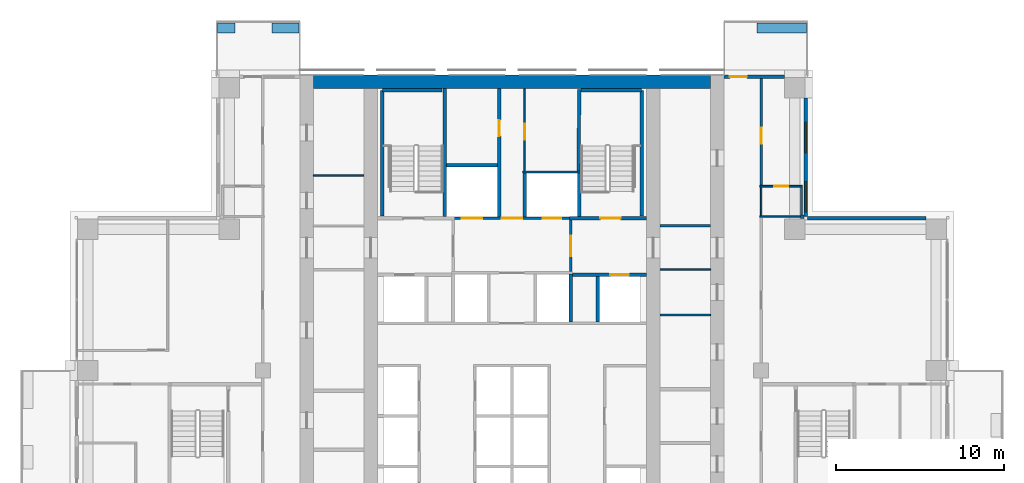
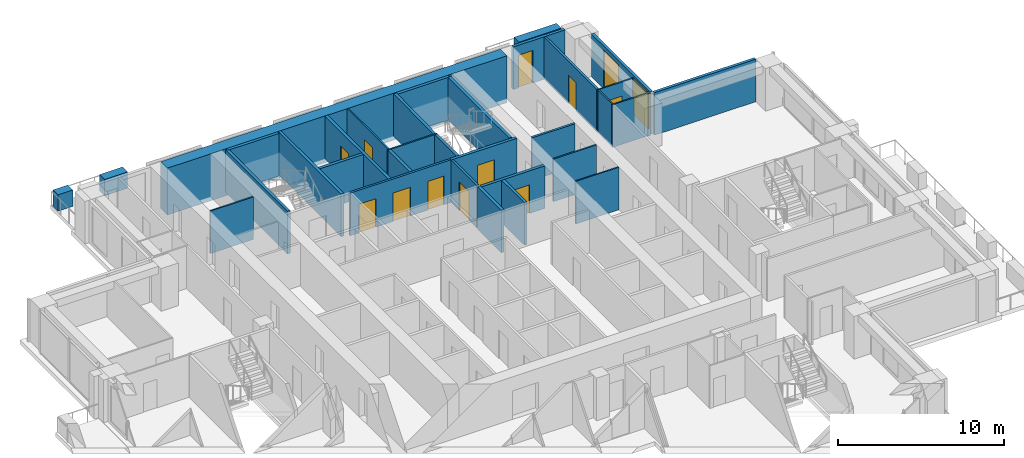
# One storey, part 13 of 18: 35 walls, 11 doors, 2 windows, 13 openings.
"""IFC4 building model written with IfcOpenShell, lengths in metres."""

from ifc_helpers import new_model, si_unit, direction, frame, frame_2d, origin, place, context, subcontext, project, spatial, rectangle, extrude, material, layer, layer_set, type_object, element, fill, save


model = new_model("IFC4")

# Units and contexts
model_context = context("Model", 3, precision=1e-05, world=origin(), true_north=direction((0.0, 1.0)))
body_context = subcontext(model_context, "Body", "Model", "MODEL_VIEW")
ifc_project = project(units=[si_unit("LENGTHUNIT", "METRE"), si_unit("AREAUNIT", "SQUARE_METRE"), si_unit("VOLUMEUNIT", "CUBIC_METRE"), si_unit("PLANEANGLEUNIT", "RADIAN"), si_unit("MASSUNIT", "GRAM", prefix="KILO")], contexts=[model_context])

# Site, building, storey
site_placement = place(None, origin())
site = spatial("IfcSite", under=ifc_project, at=site_placement, CompositionType="ELEMENT")
building_placement = place(site_placement, origin())
building = spatial("IfcBuilding", under=site, at=building_placement, Name="Vermilion Ogive Tower", CompositionType="ELEMENT")
storey_placement = place(building_placement, frame((0.0, 0.0, 108.0)))
storey = spatial("IfcBuildingStorey", under=building, at=storey_placement, Name="L27", CompositionType="ELEMENT", Elevation=108.0)

# Walls
ifc_material_1 = material(Name="Concrete B80", Category="concrete")
ifc_layer_1 = layer(ifc_material_1, 0.800048828125)
ifc_layer_set_1 = layer_set([ifc_layer_1], Name="Core wall 800 B80")
wall_type_1 = type_object("IfcWallType", Name="Core wall 800 B80", PredefinedType="SHEAR", material=ifc_layer_set_1)
wall_1_placement = place(storey_placement, frame((-11.800048828125, 21.35009765625, -0.320068359375), z_axis=(0.0, 0.0, 1.0), x_axis=(1.0, 0.0, 0.0)))
element("IfcWall", 1, at=wall_1_placement, inside=storey, type_object=wall_type_1, Name="L27-CORE-N", PredefinedType="SHEAR", context=body_context, shape_type="SweptSolid", body=[
    extrude(rectangle(XDim=23.60009765625, YDim=0.800048828125, at=frame_2d((11.800048828125, 0.0))), origin(), (0.0, 0.0, 1.0), 3.449951171875),
])
ifc_material_2 = material(Name="Gypsum board partition on steel studs", Category="steel")
ifc_layer_2 = layer(ifc_material_2, 0.10009765625)
ifc_layer_set_2 = layer_set([ifc_layer_2], Name="Partition 100 bath")
wall_type_2 = type_object("IfcWallType", Name="Partition 100 bath", PredefinedType="PARTITIONING", material=ifc_layer_set_2)
wall_2_placement = place(storey_placement, frame((14.72509765625, 13.35009765625, 0.0), z_axis=(0.0, 0.0, 1.0), x_axis=(1.0, 0.0, 0.0)))
element("IfcWall", 2, at=wall_2_placement, inside=storey, type_object=wall_type_2, Name="L27-W-W031", PredefinedType="PARTITIONING", context=body_context, shape_type="SweptSolid", body=[
    extrude(rectangle(XDim=2.52490234375, YDim=0.10009765625, at=frame_2d((1.262451171875, 0.0))), origin(), (0.0, 0.0, 1.0), 3.1298828125),
])

# Wall, opening, door
wall_3_placement = place(storey_placement, frame((14.72509765625, 15.14990234375, 0.0), z_axis=(0.0, 0.0, 1.0), x_axis=(1.0, 0.0, 0.0)))
wall_3 = element("IfcWall", 3, at=wall_3_placement, inside=storey, type_object=wall_type_2, Name="L27-W-W034", PredefinedType="PARTITIONING", context=body_context, shape_type="SweptSolid", body=[
    extrude(rectangle(XDim=2.52490234375, YDim=0.10009765625, at=frame_2d((1.262451171875, 0.0))), origin(), (0.0, 0.0, 1.0), 3.1298828125),
])
opening_1_placement = place(wall_3_placement, frame((0.849853515625, 0.0, 0.0)))
opening_1 = element("IfcOpeningElement", 4, at=opening_1_placement, cuts=wall_3, Name="Opening D2G4020", PredefinedType="OPENING", context=body_context, shape_type="SweptSolid", body=[
    extrude(rectangle(XDim=0.85009765625, YDim=2.10009765625, at=frame_2d((0.425048828125, 1.050048828125))), frame((0.0, 0.06005859375, 0.0), z_axis=(0.0, -1.0, 0.0), x_axis=(1.0, 0.0, 0.0)), (0.0, 0.0, 1.0), 0.1201171875),
])
ifc_material_3 = material(Name="Timber door leaf", Category="wood")
door_type_1 = type_object("IfcDoorType", Name="Bath door 850 x 2100 FD30", OperationType="SINGLE_SWING_LEFT", PredefinedType="DOOR", material=ifc_material_3)
door_1_placement = place(opening_1_placement, origin())
door_1 = element("IfcDoor", 5, at=door_1_placement, inside=storey, type_object=door_type_1, Name="L27-D-D020", OperationType="SINGLE_SWING_RIGHT", OverallHeight=2.10009765625, OverallWidth=0.85009765625, PredefinedType="DOOR", context=body_context, shape_type="SweptSolid", body=[
    extrude(rectangle(XDim=0.85009765625, YDim=2.10009765625, at=frame_2d((0.425048828125, 1.050048828125))), frame((0.0, 0.02490234375, 0.0), z_axis=(0.0, -1.0, 0.0), x_axis=(1.0, 0.0, 0.0)), (0.0, 0.0, 1.0), 0.050048828125),
])
fill(opening_1, door_1)

# Walls
wall_4_placement = place(storey_placement, frame((14.800048828125, 13.39990234375, 0.0), z_axis=(0.0, 0.0, 1.0), x_axis=(0.0, 1.0, 0.0)))
element("IfcWall", 6, at=wall_4_placement, inside=storey, type_object=wall_type_2, Name="L27-W-W056", PredefinedType="PARTITIONING", context=body_context, shape_type="SweptSolid", body=[
    extrude(rectangle(XDim=1.7001953125, YDim=0.10009765625, at=frame_2d((0.85009765625, 0.0))), origin(), (0.0, 0.0, 1.0), 3.1298828125),
])
wall_5_placement = place(storey_placement, frame((17.199951171875, 13.449951171875, 0.0), z_axis=(0.0, 0.0, 1.0), x_axis=(0.0, 1.0, 0.0)))
element("IfcWall", 7, at=wall_5_placement, inside=storey, type_object=wall_type_2, Name="L27-W-W060", PredefinedType="PARTITIONING", context=body_context, shape_type="SweptSolid", body=[
    extrude(rectangle(XDim=1.650146484375, YDim=0.10009765625, at=frame_2d((0.8251953125, 0.0))), origin(), (0.0, 0.0, 1.0), 3.1298828125),
])
wall_6_placement = place(storey_placement, frame((0.64990234375, 16.0, 0.0), z_axis=(0.0, 0.0, 1.0), x_axis=(1.0, 0.0, 0.0)))
element("IfcWall", 8, at=wall_6_placement, inside=storey, type_object=wall_type_2, Name="L27-CK-W-W019", PredefinedType="PARTITIONING", context=body_context, shape_type="SweptSolid", body=[
    extrude(rectangle(XDim=3.4501953125, YDim=0.10009765625, at=frame_2d((1.72509765625, 0.0))), origin(), (0.0, 0.0, 1.0), 3.1298828125),
])

# Wall, opening, door
wall_7_placement = place(storey_placement, frame((0.75, 16.050048828125, 0.0), z_axis=(0.0, 0.0, 1.0), x_axis=(0.0, 1.0, 0.0)))
wall_7 = element("IfcWall", 9, at=wall_7_placement, inside=storey, type_object=wall_type_2, Name="L27-CK-W-W031", PredefinedType="PARTITIONING", context=body_context, shape_type="SweptSolid", body=[
    extrude(rectangle(XDim=4.89892578125, YDim=0.10009765625, at=frame_2d((2.449462890625, 0.0))), origin(), (0.0, 0.0, 1.0), 3.1298828125),
])
opening_2_placement = place(wall_7_placement, frame((1.875, 0.0, 0.0)))
opening_2 = element("IfcOpeningElement", 10, at=opening_2_placement, cuts=wall_7, Name="Opening DAA215", PredefinedType="OPENING", context=body_context, shape_type="SweptSolid", body=[
    extrude(rectangle(XDim=0.949951171875, YDim=2.10009765625, at=frame_2d((0.47509765625, 1.050048828125))), frame((0.0, 0.06005859375, 0.0), z_axis=(0.0, -1.0, 0.0), x_axis=(1.0, 0.0, 0.0)), (0.0, 0.0, 1.0), 0.1201171875),
])
ifc_material_4 = material(Name="Timber door leaf", Category="wood")
door_type_2 = type_object("IfcDoorType", Name="Service door 950 x 2100 FD60", OperationType="SINGLE_SWING_LEFT", PredefinedType="DOOR", material=ifc_material_4)
door_2_placement = place(opening_2_placement, origin())
door_2 = element("IfcDoor", 11, at=door_2_placement, inside=storey, type_object=door_type_2, Name="L27-CK-D-D020", OperationType="SINGLE_SWING_LEFT", OverallHeight=2.10009765625, OverallWidth=0.949951171875, PredefinedType="DOOR", context=body_context, shape_type="SweptSolid", body=[
    extrude(rectangle(XDim=0.949951171875, YDim=2.10009765625, at=frame_2d((0.47509765625, 1.050048828125))), frame((0.0, 0.02490234375, 0.0), z_axis=(0.0, -1.0, 0.0), x_axis=(1.0, 0.0, 0.0)), (0.0, 0.0, 1.0), 0.050048828125),
])
fill(opening_2, door_2)

# Walls
for number, where, z_axis, x_axis, name in (
    (12, (-11.799072265625, 15.800048828125, 0.0), (0.0, 0.0, 1.0), (1.0, 0.0, 0.0), "L27-CKW-W-W005"),
    (13, (8.801025390625, 7.5, 0.0), (0.0, 0.0, 1.0), (1.0, 0.0, 0.0), "L27-CKE-W-W004"),
    (14, (8.801025390625, 10.199951171875, 0.0), (0.0, 0.0, 1.0), (1.0, 0.0, 0.0), "L27-CKE-W-W005"),
):
    element("IfcWall", number, at=place(storey_placement, frame(where, z_axis=z_axis, x_axis=x_axis)), inside=storey, type_object=wall_type_2, Name=name, PredefinedType="PARTITIONING", context=body_context, shape_type="SweptSolid", body=[
        extrude(rectangle(XDim=2.998046875, YDim=0.10009765625, at=frame_2d((1.4990234375, 0.0))), origin(), (0.0, 0.0, 1.0), 3.1298828125),
    ])

# Wall, opening, door
ifc_material_5 = material(Name="Gypsum board partition on steel studs", Category="steel")
ifc_layer_3 = layer(ifc_material_5, 0.14990234375)
ifc_layer_set_3 = layer_set([ifc_layer_3], Name="Partition 150 corridor")
wall_type_3 = type_object("IfcWallType", Name="Partition 150 corridor", PredefinedType="PARTITIONING", material=ifc_layer_set_3)
wall_8_placement = place(storey_placement, frame((14.800048828125, 15.199951171875, 0.0), z_axis=(0.0, 0.0, 1.0), x_axis=(0.0, 1.0, 0.0)))
wall_8 = element("IfcWall", 15, at=wall_8_placement, inside=storey, type_object=wall_type_3, Name="L27-W-W057", PredefinedType="PARTITIONING", context=body_context, shape_type="SweptSolid", body=[
    extrude(rectangle(XDim=6.35009765625, YDim=0.14990234375, at=frame_2d((3.175048828125, 0.0))), origin(), (0.0, 0.0, 1.0), 3.1298828125),
])
opening_3_placement = place(wall_8_placement, frame((2.47509765625, 0.0, 0.0)))
opening_3 = element("IfcOpeningElement", 16, at=opening_3_placement, cuts=wall_8, Name="Opening D2G4019", PredefinedType="OPENING", context=body_context, shape_type="SweptSolid", body=[
    extrude(rectangle(XDim=0.949951171875, YDim=2.10009765625, at=frame_2d((0.47509765625, 1.050048828125))), frame((0.0, 0.0849609375, 0.0), z_axis=(0.0, -1.0, 0.0), x_axis=(1.0, 0.0, 0.0)), (0.0, 0.0, 1.0), 0.169921875),
])
ifc_material_6 = material(Name="Timber door leaf", Category="wood")
door_type_3 = type_object("IfcDoorType", Name="Unit door 950 x 2100 FD30S", OperationType="SINGLE_SWING_LEFT", PredefinedType="DOOR", material=ifc_material_6)
door_3_placement = place(opening_3_placement, origin())
door_3 = element("IfcDoor", 17, at=door_3_placement, inside=storey, type_object=door_type_3, Name="L27-D-D019", OperationType="SINGLE_SWING_LEFT", OverallHeight=2.10009765625, OverallWidth=0.949951171875, PredefinedType="DOOR", context=body_context, shape_type="SweptSolid", body=[
    extrude(rectangle(XDim=0.949951171875, YDim=2.10009765625, at=frame_2d((0.47509765625, 1.050048828125))), frame((0.0, 0.02490234375, 0.0), z_axis=(0.0, -1.0, 0.0), x_axis=(1.0, 0.0, 0.0)), (0.0, 0.0, 1.0), 0.050048828125),
])
fill(opening_3, door_3)

# Wall, openings, doors
wall_9_placement = place(storey_placement, frame((-3.574951171875, 13.25, 0.0), z_axis=(0.0, 0.0, 1.0), x_axis=(1.0, 0.0, 0.0)))
wall_9 = element("IfcWall", 18, at=wall_9_placement, inside=storey, type_object=wall_type_3, Name="L27-CK-W-W017", PredefinedType="PARTITIONING", context=body_context, shape_type="SweptSolid", body=[
    extrude(rectangle(XDim=7.14990234375, YDim=0.14990234375, at=frame_2d((3.574951171875, 0.0))), origin(), (0.0, 0.0, 1.0), 3.1298828125),
])
opening_4_placement = place(wall_9_placement, frame((0.599853515625, 0.0, 0.0)))
opening_4 = element("IfcOpeningElement", 19, at=opening_4_placement, cuts=wall_9, Name="Opening DAA229", PredefinedType="OPENING", context=body_context, shape_type="SweptSolid", body=[
    extrude(rectangle(XDim=1.199951171875, YDim=2.10009765625, at=frame_2d((0.60009765625, 1.050048828125))), frame((0.0, 0.0849609375, 0.0), z_axis=(0.0, -1.0, 0.0), x_axis=(1.0, 0.0, 0.0)), (0.0, 0.0, 1.0), 0.169921875),
])
opening_5_placement = place(wall_9_placement, frame((5.39990234375, 0.0, 0.0)))
opening_5 = element("IfcOpeningElement", 20, at=opening_5_placement, cuts=wall_9, Name="Opening DAA220", PredefinedType="OPENING", context=body_context, shape_type="SweptSolid", body=[
    extrude(rectangle(XDim=1.10009765625, YDim=2.10009765625, at=frame_2d((0.550048828125, 1.050048828125))), frame((0.0, 0.0849609375, 0.0), z_axis=(0.0, -1.0, 0.0), x_axis=(1.0, 0.0, 0.0)), (0.0, 0.0, 1.0), 0.169921875),
])
opening_6_placement = place(wall_9_placement, frame((2.974853515625, 0.0, 0.0)))
opening_6 = element("IfcOpeningElement", 21, at=opening_6_placement, cuts=wall_9, Name="Opening DAA212", PredefinedType="OPENING", context=body_context, shape_type="SweptSolid", body=[
    extrude(rectangle(XDim=1.199951171875, YDim=2.10009765625, at=frame_2d((0.60009765625, 1.050048828125))), frame((0.0, 0.0849609375, 0.0), z_axis=(0.0, -1.0, 0.0), x_axis=(1.0, 0.0, 0.0)), (0.0, 0.0, 1.0), 0.169921875),
])
ifc_material_7 = material(Name="Stainless steel", Category="steel")
door_type_4 = type_object("IfcDoorType", Name="Lift landing door 1100 x 2100", OperationType="SLIDING_TO_LEFT", PredefinedType="DOOR", material=ifc_material_7)
door_4_placement = place(opening_5_placement, origin())
door_4 = element("IfcDoor", 22, at=door_4_placement, inside=storey, type_object=door_type_4, Name="L27-CK-D-D017", OperationType="SLIDING_TO_LEFT", OverallHeight=2.10009765625, OverallWidth=1.10009765625, PredefinedType="DOOR", context=body_context, shape_type="SweptSolid", body=[
    extrude(rectangle(XDim=1.10009765625, YDim=2.10009765625, at=frame_2d((0.550048828125, 1.050048828125))), frame((0.0, 0.02490234375, 0.0), z_axis=(0.0, -1.0, 0.0), x_axis=(1.0, 0.0, 0.0)), (0.0, 0.0, 1.0), 0.050048828125),
])
fill(opening_5, door_4)
ifc_material_8 = material(Name="Stainless steel", Category="steel")
door_type_5 = type_object("IfcDoorType", Name="Lift landing door 1200 x 2100", OperationType="SLIDING_TO_LEFT", PredefinedType="DOOR", material=ifc_material_8)
door_5_placement = place(opening_4_placement, origin())
door_5 = element("IfcDoor", 23, at=door_5_placement, inside=storey, type_object=door_type_5, Name="L27-CK-D-D016", OperationType="SLIDING_TO_RIGHT", OverallHeight=2.10009765625, OverallWidth=1.199951171875, PredefinedType="DOOR", context=body_context, shape_type="SweptSolid", body=[
    extrude(rectangle(XDim=1.199951171875, YDim=2.10009765625, at=frame_2d((0.60009765625, 1.050048828125))), frame((0.0, 0.02490234375, 0.0), z_axis=(0.0, -1.0, 0.0), x_axis=(1.0, 0.0, 0.0)), (0.0, 0.0, 1.0), 0.050048828125),
])
fill(opening_4, door_5)
ifc_material_9 = material(Name="Timber door leaf", Category="wood")
door_type_6 = type_object("IfcDoorType", Name="Service door 1200 x 2100 FD60", OperationType="SINGLE_SWING_LEFT", PredefinedType="DOOR", material=ifc_material_9)
door_6_placement = place(opening_6_placement, origin())
door_6 = element("IfcDoor", 24, at=door_6_placement, inside=storey, type_object=door_type_6, Name="L27-CK-D-D018", OperationType="SINGLE_SWING_RIGHT", OverallHeight=2.10009765625, OverallWidth=1.199951171875, PredefinedType="DOOR", context=body_context, shape_type="SweptSolid", body=[
    extrude(rectangle(XDim=1.199951171875, YDim=2.10009765625, at=frame_2d((0.60009765625, 1.050048828125))), frame((0.0, 0.02490234375, 0.0), z_axis=(0.0, -1.0, 0.0), x_axis=(1.0, 0.0, 0.0)), (0.0, 0.0, 1.0), 0.050048828125),
])
fill(opening_6, door_6)

# Wall, opening, door
wall_10_placement = place(storey_placement, frame((3.5, 10.074951171875, 0.0), z_axis=(0.0, 0.0, 1.0), x_axis=(0.0, 1.0, 0.0)))
wall_10 = element("IfcWall", 25, at=wall_10_placement, inside=storey, type_object=wall_type_3, Name="L27-CK-W-W035", PredefinedType="PARTITIONING", context=body_context, shape_type="SweptSolid", body=[
    extrude(rectangle(XDim=3.074951171875, YDim=0.14990234375, at=frame_2d((1.53759765625, 0.0))), origin(), (0.0, 0.0, 1.0), 3.1298828125),
])
opening_7_placement = place(wall_10_placement, frame((0.925048828125, 0.0, 0.0)))
opening_7 = element("IfcOpeningElement", 26, at=opening_7_placement, cuts=wall_10, Name="Opening DAA209", PredefinedType="OPENING", context=body_context, shape_type="SweptSolid", body=[
    extrude(rectangle(XDim=1.199951171875, YDim=2.10009765625, at=frame_2d((0.60009765625, 1.050048828125))), frame((0.0, 0.0849609375, 0.0), z_axis=(0.0, -1.0, 0.0), x_axis=(1.0, 0.0, 0.0)), (0.0, 0.0, 1.0), 0.169921875),
])
ifc_material_10 = material(Name="Timber door leaf", Category="wood")
door_type_7 = type_object("IfcDoorType", Name="Lobby door 1200 x 2100 FD60S", OperationType="SINGLE_SWING_LEFT", PredefinedType="DOOR", material=ifc_material_10)
door_7_placement = place(opening_7_placement, origin())
door_7 = element("IfcDoor", 27, at=door_7_placement, inside=storey, type_object=door_type_7, Name="L27-CK-D-D022", OperationType="SINGLE_SWING_LEFT", OverallHeight=2.10009765625, OverallWidth=1.199951171875, PredefinedType="DOOR", context=body_context, shape_type="SweptSolid", body=[
    extrude(rectangle(XDim=1.199951171875, YDim=2.10009765625, at=frame_2d((0.60009765625, 1.050048828125))), frame((0.0, 0.02490234375, 0.0), z_axis=(0.0, -1.0, 0.0), x_axis=(1.0, 0.0, 0.0)), (0.0, 0.0, 1.0), 0.050048828125),
])
fill(opening_7, door_7)

# Walls
wall_11_placement = place(storey_placement, frame((8.801025390625, 12.800048828125, 0.0), z_axis=(0.0, 0.0, 1.0), x_axis=(1.0, 0.0, 0.0)))
element("IfcWall", 28, at=wall_11_placement, inside=storey, type_object=wall_type_3, Name="L27-CKE-W-W006", PredefinedType="PARTITIONING", context=body_context, shape_type="SweptSolid", body=[
    extrude(rectangle(XDim=2.998046875, YDim=0.14990234375, at=frame_2d((1.4990234375, 0.0))), origin(), (0.0, 0.0, 1.0), 3.1298828125),
])
ifc_material_11 = material(Name="Gypsum board partition on steel studs", Category="steel")
ifc_layer_4 = layer(ifc_material_11, 0.199951171875)
ifc_layer_set_4 = layer_set([ifc_layer_4], Name="Partition 200 party")
wall_type_4 = type_object("IfcWallType", Name="Partition 200 party", PredefinedType="PARTITIONING", material=ifc_layer_set_4)
wall_12_placement = place(storey_placement, frame((17.14990234375, 13.35009765625, 0.0), z_axis=(0.0, 0.0, 1.0), x_axis=(1.0, 0.0, 0.0)))
element("IfcWall", 29, at=wall_12_placement, inside=storey, type_object=wall_type_4, Name="L27-W-W032", PredefinedType="PARTITIONING", context=body_context, shape_type="SweptSolid", body=[
    extrude(rectangle(XDim=0.2001953125, YDim=0.199951171875, at=frame_2d((0.10009765625, 0.0))), origin(), (0.0, 0.0, 1.0), 3.1298828125),
])

# Wall, opening, door
wall_13_placement = place(storey_placement, frame((3.60009765625, 9.89990234375, 0.0), z_axis=(0.0, 0.0, 1.0), x_axis=(1.0, 0.0, 0.0)))
wall_13 = element("IfcWall", 30, at=wall_13_placement, inside=storey, type_object=wall_type_4, Name="L27-CK-W-W014", PredefinedType="PARTITIONING", context=body_context, shape_type="SweptSolid", body=[
    extrude(rectangle(XDim=4.39892578125, YDim=0.199951171875, at=frame_2d((2.199462890625, 0.0))), origin(), (0.0, 0.0, 1.0), 3.1298828125),
])
opening_8_placement = place(wall_13_placement, frame((2.25, 0.0, 0.0)))
opening_8 = element("IfcOpeningElement", 31, at=opening_8_placement, cuts=wall_13, Name="Opening DAA219", PredefinedType="OPENING", context=body_context, shape_type="SweptSolid", body=[
    extrude(rectangle(XDim=1.10009765625, YDim=2.10009765625, at=frame_2d((0.550048828125, 1.050048828125))), frame((0.0, 0.10986328125, 0.0), z_axis=(0.0, -1.0, 0.0), x_axis=(1.0, 0.0, 0.0)), (0.0, 0.0, 1.0), 0.219970703125),
])
door_8_placement = place(opening_8_placement, origin())
door_8 = element("IfcDoor", 32, at=door_8_placement, inside=storey, type_object=door_type_4, Name="L27-CK-D-D013", OperationType="SLIDING_TO_LEFT", OverallHeight=2.10009765625, OverallWidth=1.10009765625, PredefinedType="DOOR", context=body_context, shape_type="SweptSolid", body=[
    extrude(rectangle(XDim=1.10009765625, YDim=2.10009765625, at=frame_2d((0.550048828125, 1.050048828125))), frame((0.0, 0.02490234375, 0.0), z_axis=(0.0, -1.0, 0.0), x_axis=(1.0, 0.0, 0.0)), (0.0, 0.0, 1.0), 0.050048828125),
])
fill(opening_8, door_8)

# Wall
wall_14_placement = place(storey_placement, frame((-3.89990234375, 16.39990234375, 0.0), z_axis=(0.0, 0.0, 1.0), x_axis=(1.0, 0.0, 0.0)))
element("IfcWall", 33, at=wall_14_placement, inside=storey, type_object=wall_type_4, Name="L27-CK-W-W020", PredefinedType="PARTITIONING", context=body_context, shape_type="SweptSolid", body=[
    extrude(rectangle(XDim=3.0498046875, YDim=0.199951171875, at=frame_2d((1.52490234375, 0.0))), origin(), (0.0, 0.0, 1.0), 3.1298828125),
])

# Wall, opening, door
wall_15_placement = place(storey_placement, frame((-0.75, 13.324951171875, 0.0), z_axis=(0.0, 0.0, 1.0), x_axis=(0.0, 1.0, 0.0)))
wall_15 = element("IfcWall", 34, at=wall_15_placement, inside=storey, type_object=wall_type_4, Name="L27-CK-W-W028", PredefinedType="PARTITIONING", context=body_context, shape_type="SweptSolid", body=[
    extrude(rectangle(XDim=7.6240234375, YDim=0.199951171875, at=frame_2d((3.81201171875, 0.0))), origin(), (0.0, 0.0, 1.0), 3.1298828125),
])
opening_9_placement = place(wall_15_placement, frame((4.800048828125, 0.0, 0.0)))
opening_9 = element("IfcOpeningElement", 35, at=opening_9_placement, cuts=wall_15, Name="Opening DAA214", PredefinedType="OPENING", context=body_context, shape_type="SweptSolid", body=[
    extrude(rectangle(XDim=0.949951171875, YDim=2.10009765625, at=frame_2d((0.47509765625, 1.050048828125))), frame((0.0, 0.10986328125, 0.0), z_axis=(0.0, -1.0, 0.0), x_axis=(1.0, 0.0, 0.0)), (0.0, 0.0, 1.0), 0.219970703125),
])
door_9_placement = place(opening_9_placement, origin())
door_9 = element("IfcDoor", 36, at=door_9_placement, inside=storey, type_object=door_type_2, Name="L27-CK-D-D019", OperationType="SINGLE_SWING_RIGHT", OverallHeight=2.10009765625, OverallWidth=0.949951171875, PredefinedType="DOOR", context=body_context, shape_type="SweptSolid", body=[
    extrude(rectangle(XDim=0.949951171875, YDim=2.10009765625, at=frame_2d((0.47509765625, 1.050048828125))), frame((0.0, 0.02490234375, 0.0), z_axis=(0.0, -1.0, 0.0), x_axis=(1.0, 0.0, 0.0)), (0.0, 0.0, 1.0), 0.050048828125),
])
fill(opening_9, door_9)

# Walls
wall_16_placement = place(storey_placement, frame((0.75, 13.324951171875, 0.0), z_axis=(0.0, 0.0, 1.0), x_axis=(0.0, 1.0, 0.0)))
element("IfcWall", 37, at=wall_16_placement, inside=storey, type_object=wall_type_4, Name="L27-CK-W-W030", PredefinedType="PARTITIONING", context=body_context, shape_type="SweptSolid", body=[
    extrude(rectangle(XDim=2.625, YDim=0.199951171875, at=frame_2d((1.3125, 0.0))), origin(), (0.0, 0.0, 1.0), 3.1298828125),
])
wall_17_placement = place(storey_placement, frame((3.5, 7.074951171875, 0.0), z_axis=(0.0, 0.0, 1.0), x_axis=(0.0, 1.0, 0.0)))
element("IfcWall", 38, at=wall_17_placement, inside=storey, type_object=wall_type_4, Name="L27-CK-W-W034", PredefinedType="PARTITIONING", context=body_context, shape_type="SweptSolid", body=[
    extrude(rectangle(XDim=2.85009765625, YDim=0.199951171875, at=frame_2d((1.425048828125, 0.0))), origin(), (0.0, 0.0, 1.0), 3.1298828125),
])
wall_18_placement = place(storey_placement, frame((5.10009765625, 7.074951171875, 0.0), z_axis=(0.0, 0.0, 1.0), x_axis=(0.0, 1.0, 0.0)))
element("IfcWall", 39, at=wall_18_placement, inside=storey, type_object=wall_type_4, Name="L27-CK-W-W038", PredefinedType="PARTITIONING", context=body_context, shape_type="SweptSolid", body=[
    extrude(rectangle(XDim=2.72509765625, YDim=0.199951171875, at=frame_2d((1.362548828125, 0.0))), origin(), (0.0, 0.0, 1.0), 3.1298828125),
])

# Wall, opening, door
ifc_material_12 = material(Name="Concrete B60", Category="concrete")
ifc_layer_5 = layer(ifc_material_12, 0.199951171875)
ifc_layer_set_5 = layer_set([ifc_layer_5], Name="Stair shaft wall 200 Concrete B60")
wall_type_5 = type_object("IfcWallType", Name="Stair shaft wall 200 Concrete B60", PredefinedType="SOLIDWALL", material=ifc_layer_set_5)
wall_19_placement = place(storey_placement, frame((3.425048828125, 13.25, 0.0), z_axis=(0.0, 0.0, 1.0), x_axis=(1.0, 0.0, 0.0)))
wall_19 = element("IfcWall", 40, at=wall_19_placement, inside=storey, type_object=wall_type_5, Name="L27-CK-W-W018", PredefinedType="SOLIDWALL", context=body_context, shape_type="SweptSolid", body=[
    extrude(rectangle(XDim=4.573974609375, YDim=0.199951171875, at=frame_2d((2.287109375, 0.0))), origin(), (0.0, 0.0, 1.0), 3.1298828125),
])
opening_10_placement = place(wall_19_placement, frame((1.824951171875, 0.0, 0.0)))
opening_10 = element("IfcOpeningElement", 41, at=opening_10_placement, cuts=wall_19, Name="Opening DAA217", PredefinedType="OPENING", context=body_context, shape_type="SweptSolid", body=[
    extrude(rectangle(XDim=1.199951171875, YDim=2.10009765625, at=frame_2d((0.60009765625, 1.050048828125))), frame((0.0, 0.10986328125, 0.0), z_axis=(0.0, -1.0, 0.0), x_axis=(1.0, 0.0, 0.0)), (0.0, 0.0, 1.0), 0.219970703125),
])
ifc_material_13 = material(Name="Timber door leaf", Category="wood")
door_type_8 = type_object("IfcDoorType", Name="Stair door 1200 x 2100 FD60S", OperationType="SINGLE_SWING_LEFT", PredefinedType="DOOR", material=ifc_material_13)
door_10_placement = place(opening_10_placement, origin())
door_10 = element("IfcDoor", 42, at=door_10_placement, inside=storey, type_object=door_type_8, Name="L27-CK-D-D012", OperationType="SINGLE_SWING_RIGHT", OverallHeight=2.10009765625, OverallWidth=1.199951171875, PredefinedType="DOOR", context=body_context, shape_type="SweptSolid", body=[
    extrude(rectangle(XDim=1.199951171875, YDim=2.10009765625, at=frame_2d((0.60009765625, 1.050048828125))), frame((0.0, 0.02490234375, 0.0), z_axis=(0.0, -1.0, 0.0), x_axis=(1.0, 0.0, 0.0)), (0.0, 0.0, 1.0), 0.050048828125),
])
fill(opening_10, door_10)

# Walls
wall_20_placement = place(storey_placement, frame((-4.0, 13.35009765625, 0.0), z_axis=(0.0, 0.0, 1.0), x_axis=(0.0, 1.0, 0.0)))
element("IfcWall", 43, at=wall_20_placement, inside=storey, type_object=wall_type_5, Name="L27-CK-W-W023", PredefinedType="SOLIDWALL", context=body_context, shape_type="SweptSolid", body=[
    extrude(rectangle(XDim=7.598876953125, YDim=0.199951171875, at=frame_2d((3.79931640625, 0.0))), origin(), (0.0, 0.0, 1.0), 3.1298828125),
])
wall_21_placement = place(storey_placement, frame((4.0, 13.35009765625, 0.0), z_axis=(0.0, 0.0, 1.0), x_axis=(0.0, 1.0, 0.0)))
element("IfcWall", 44, at=wall_21_placement, inside=storey, type_object=wall_type_5, Name="L27-CK-W-W036", PredefinedType="SOLIDWALL", context=body_context, shape_type="SweptSolid", body=[
    extrude(rectangle(XDim=2.599853515625, YDim=0.199951171875, at=frame_2d((1.2998046875, 0.0))), origin(), (0.0, 0.0, 1.0), 3.1298828125),
])
wall_22_placement = place(storey_placement, frame((3.949951171875, 16.050048828125, 0.0), z_axis=(0.0, 0.0, 1.0), x_axis=(0.01032118628, 0.999946735138, 0.0)))
element("IfcWall", 45, at=wall_22_placement, inside=storey, type_object=wall_type_5, Name="L27-CK-W-W037", PredefinedType="SOLIDWALL", context=body_context, shape_type="SweptSolid", body=[
    extrude(rectangle(XDim=4.84912109375, YDim=0.199951171875, at=frame_2d((2.424560546875, 0.0))), origin(), (0.0, 0.0, 1.0), 3.1298828125),
])
wall_23_placement = place(storey_placement, frame((-7.699951171875, 13.39990234375, 0.0), z_axis=(0.0, 0.0, 1.0), x_axis=(0.0, 1.0, 0.0)))
element("IfcWall", 46, at=wall_23_placement, inside=storey, type_object=wall_type_5, Name="L27-SW-R022-W1", PredefinedType="SOLIDWALL", context=body_context, shape_type="SweptSolid", body=[
    extrude(rectangle(XDim=7.4501953125, YDim=0.199951171875, at=frame_2d((3.72509765625, 0.0))), origin(), (0.0, 0.0, 1.0), 3.1298828125),
])
wall_24_placement = place(storey_placement, frame((-7.699951171875, 20.85009765625, 0.0), z_axis=(0.0, 0.0, 1.0), x_axis=(1.0, 0.0, 0.0)))
element("IfcWall", 47, at=wall_24_placement, inside=storey, type_object=wall_type_5, Name="L27-SW-R022-N1", PredefinedType="SOLIDWALL", context=body_context, shape_type="SweptSolid", body=[
    extrude(rectangle(XDim=3.550048828125, YDim=0.199951171875, at=frame_2d((1.77490234375, 0.0))), origin(), (0.0, 0.0, 1.0), 3.1298828125),
])
wall_25_placement = place(storey_placement, frame((7.699951171875, 13.39990234375, 0.0), z_axis=(0.0, 0.0, 1.0), x_axis=(0.0, 1.0, 0.0)))
element("IfcWall", 48, at=wall_25_placement, inside=storey, type_object=wall_type_5, Name="L27-SW-R026-E1", PredefinedType="SOLIDWALL", context=body_context, shape_type="SweptSolid", body=[
    extrude(rectangle(XDim=7.4501953125, YDim=0.199951171875, at=frame_2d((3.72509765625, 0.0))), origin(), (0.0, 0.0, 1.0), 3.1298828125),
])
wall_26_placement = place(storey_placement, frame((4.10009765625, 20.85009765625, 0.0), z_axis=(0.0, 0.0, 1.0), x_axis=(1.0, 0.0, 0.0)))
element("IfcWall", 49, at=wall_26_placement, inside=storey, type_object=wall_type_5, Name="L27-SW-R026-N1", PredefinedType="SOLIDWALL", context=body_context, shape_type="SweptSolid", body=[
    extrude(rectangle(XDim=3.599853515625, YDim=0.199951171875, at=frame_2d((1.7998046875, 0.0))), origin(), (0.0, 0.0, 1.0), 3.1298828125),
])
ifc_material_14 = material(Name="Concrete B40", Category="concrete")
ifc_layer_6 = layer(ifc_material_14, 0.60009765625)
ifc_layer_set_6 = layer_set([ifc_layer_6], Name="Structural planter")
wall_type_6 = type_object("IfcWallType", Name="Structural planter", PredefinedType="USERDEFINED", material=ifc_layer_set_6)
wall_27_placement = place(storey_placement, frame((17.489990234375, 24.550048828125, -0.0400390625), z_axis=(0.0, 0.0, 1.0), x_axis=(-1.0, 0.0, 0.0)))
element("IfcWall", 50, at=wall_27_placement, inside=storey, type_object=wall_type_6, Name="Planter N101A1", ObjectType="PLANTER", PredefinedType="USERDEFINED", context=body_context, shape_type="SweptSolid", body=[
    extrude(rectangle(XDim=2.93994140625, YDim=0.60009765625, at=frame_2d((1.469970703125, 0.0))), origin(), (0.0, 0.0, 1.0), 1.199951171875),
])
wall_28_placement = place(storey_placement, frame((-12.659912109375, 24.550048828125, -0.0400390625), z_axis=(0.0, 0.0, 1.0), x_axis=(-1.0, 0.0, 0.0)))
element("IfcWall", 51, at=wall_28_placement, inside=storey, type_object=wall_type_6, Name="Planter N201A1", ObjectType="PLANTER", PredefinedType="USERDEFINED", context=body_context, shape_type="SweptSolid", body=[
    extrude(rectangle(XDim=1.590087890625, YDim=0.60009765625, at=frame_2d((0.794921875, 0.0))), origin(), (0.0, 0.0, 1.0), 1.199951171875),
])
wall_29_placement = place(storey_placement, frame((-16.449951171875, 24.550048828125, -0.0400390625), z_axis=(0.0, 0.0, 1.0), x_axis=(-1.0, 0.0, 0.0)))
element("IfcWall", 52, at=wall_29_placement, inside=storey, type_object=wall_type_6, Name="Planter N201A2", ObjectType="PLANTER", PredefinedType="USERDEFINED", context=body_context, shape_type="SweptSolid", body=[
    extrude(rectangle(XDim=1.0400390625, YDim=0.60009765625, at=frame_2d((0.52001953125, 0.0))), origin(), (0.0, 0.0, 1.0), 1.199951171875),
])
ifc_material_15 = material(Name="Aluminium window wall framing", Category="aluminium")
ifc_layer_7 = layer(ifc_material_15, 0.199951171875)
ifc_layer_set_7 = layer_set([ifc_layer_7], Name="Window wall")
wall_type_7 = type_object("IfcWallType", Name="Window wall", PredefinedType="STANDARD", material=ifc_layer_set_7)
wall_30_placement = place(storey_placement, frame((24.60009765625, 13.25, 0.0), z_axis=(0.0, 0.0, 1.0), x_axis=(-1.0, 0.0, 0.0)))
element("IfcWall", 53, at=wall_30_placement, inside=storey, type_object=wall_type_7, Name="Window wall X31", PredefinedType="STANDARD", context=body_context, shape_type="SweptSolid", body=[
    extrude(rectangle(XDim=7.050048828125, YDim=0.199951171875, at=frame_2d((3.52490234375, 0.0))), origin(), (0.0, 0.0, 1.0), 3.1298828125),
])

# Wall, openings, windows
wall_31_placement = place(storey_placement, frame((17.449951171875, 13.35009765625, 0.0), z_axis=(0.0, 0.0, 1.0), x_axis=(0.0, 1.0, 0.0)))
wall_31 = element("IfcWall", 54, at=wall_31_placement, inside=storey, type_object=wall_type_7, Name="Window wall X41", PredefinedType="STANDARD", context=body_context, shape_type="SweptSolid", body=[
    extrude(rectangle(XDim=7.0498046875, YDim=0.199951171875, at=frame_2d((3.52490234375, 0.0))), origin(), (0.0, 0.0, 1.0), 3.1298828125),
])
opening_11_placement = place(wall_31_placement, frame((0.27490234375, 0.0, 0.199951171875)))
opening_11 = element("IfcOpeningElement", 55, at=opening_11_placement, cuts=wall_31, Name="Opening W1-X403", PredefinedType="OPENING", context=body_context, shape_type="SweptSolid", body=[
    extrude(rectangle(XDim=1.800048828125, YDim=2.64990234375, at=frame_2d((0.89990234375, 1.324951171875))), frame((0.0, 0.10986328125, 0.0), z_axis=(0.0, -1.0, 0.0), x_axis=(1.0, 0.0, 0.0)), (0.0, 0.0, 1.0), 0.219970703125),
])
opening_12_placement = place(wall_31_placement, frame((3.800048828125, 0.0, 0.199951171875)))
opening_12 = element("IfcOpeningElement", 56, at=opening_12_placement, cuts=wall_31, Name="Opening W1-X404", PredefinedType="OPENING", context=body_context, shape_type="SweptSolid", body=[
    extrude(rectangle(XDim=1.800048828125, YDim=2.64990234375, at=frame_2d((0.89990234375, 1.324951171875))), frame((0.0, 0.10986328125, 0.0), z_axis=(0.0, -1.0, 0.0), x_axis=(1.0, 0.0, 0.0)), (0.0, 0.0, 1.0), 0.219970703125),
])
ifc_material_16 = material(Name="Aluminium framed double glazing", Category="aluminium")
window_type = type_object("IfcWindowType", Name="Guest window W1", PartitioningType="SINGLE_PANEL", PredefinedType="WINDOW", material=ifc_material_16)
window_1_placement = place(opening_11_placement, origin())
window_1 = element("IfcWindow", 57, at=window_1_placement, inside=storey, type_object=window_type, Name="Window X403", OverallHeight=2.64990234375, OverallWidth=1.800048828125, PartitioningType="SINGLE_PANEL", PredefinedType="WINDOW", context=body_context, shape_type="SweptSolid", body=[
    extrude(rectangle(XDim=1.800048828125, YDim=2.64990234375, at=frame_2d((0.89990234375, 1.324951171875))), frame((0.0, 0.030029296875, 0.0), z_axis=(0.0, -1.0, 0.0), x_axis=(1.0, 0.0, 0.0)), (0.0, 0.0, 1.0), 0.06005859375),
])
fill(opening_11, window_1)
window_2_placement = place(opening_12_placement, origin())
window_2 = element("IfcWindow", 58, at=window_2_placement, inside=storey, type_object=window_type, Name="Window X404", OverallHeight=2.64990234375, OverallWidth=1.800048828125, PartitioningType="SINGLE_PANEL", PredefinedType="WINDOW", context=body_context, shape_type="SweptSolid", body=[
    extrude(rectangle(XDim=1.800048828125, YDim=2.64990234375, at=frame_2d((0.89990234375, 1.324951171875))), frame((0.0, 0.030029296875, 0.0), z_axis=(0.0, -1.0, 0.0), x_axis=(1.0, 0.0, 0.0)), (0.0, 0.0, 1.0), 0.06005859375),
])
fill(opening_12, window_2)

# Wall, opening, door
wall_32_placement = place(storey_placement, frame((16.199951171875, 21.64990234375, 0.0), z_axis=(0.0, 0.0, 1.0), x_axis=(-1.0, 0.0, 0.0)))
wall_32 = element("IfcWall", 59, at=wall_32_placement, inside=storey, type_object=wall_type_7, Name="Window wall N11", PredefinedType="STANDARD", context=body_context, shape_type="SweptSolid", body=[
    extrude(rectangle(XDim=3.599853515625, YDim=0.199951171875, at=frame_2d((1.7998046875, 0.0))), origin(), (0.0, 0.0, 1.0), 3.1298828125),
])
opening_13_placement = place(wall_32_placement, frame((2.25, 0.0, 0.0)))
opening_13 = element("IfcOpeningElement", 60, at=opening_13_placement, cuts=wall_32, Name="Opening D1-N103", PredefinedType="OPENING", context=body_context, shape_type="SweptSolid", body=[
    extrude(rectangle(XDim=1.0, YDim=2.39990234375, at=frame_2d((0.5, 1.199951171875))), frame((0.0, 0.10986328125, 0.0), z_axis=(0.0, -1.0, 0.0), x_axis=(1.0, 0.0, 0.0)), (0.0, 0.0, 1.0), 0.219970703125),
])
ifc_material_17 = material(Name="Aluminium framed glazed door", Category="aluminium")
door_type_9 = type_object("IfcDoorType", Name="Balcony door D1", OperationType="SINGLE_SWING_LEFT", PredefinedType="DOOR", material=ifc_material_17)
door_11_placement = place(opening_13_placement, origin())
door_11 = element("IfcDoor", 61, at=door_11_placement, inside=storey, type_object=door_type_9, Name="Balcony door N103", OperationType="SINGLE_SWING_LEFT", OverallHeight=2.39990234375, OverallWidth=1.0, PredefinedType="DOOR", context=body_context, shape_type="SweptSolid", body=[
    extrude(rectangle(XDim=1.0, YDim=2.39990234375, at=frame_2d((0.5, 1.199951171875))), frame((0.0, 0.02490234375, 0.0), z_axis=(0.0, -1.0, 0.0), x_axis=(1.0, 0.0, 0.0)), (0.0, 0.0, 1.0), 0.050048828125),
])
fill(opening_13, door_11)

save(model, "model.ifc")
